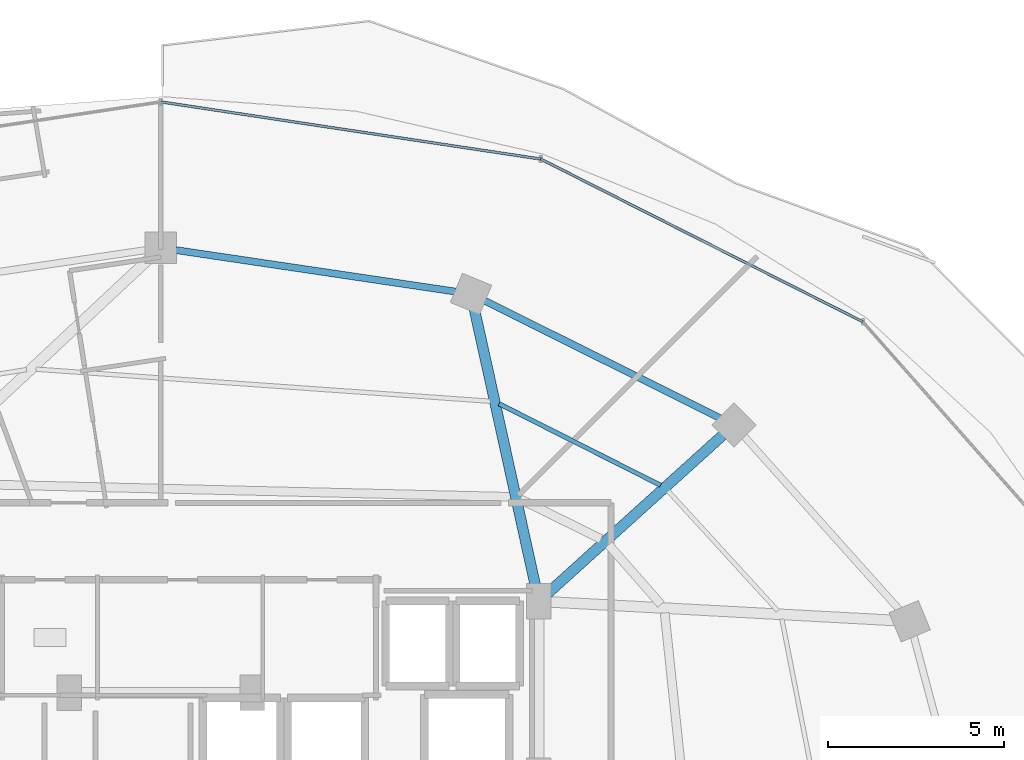
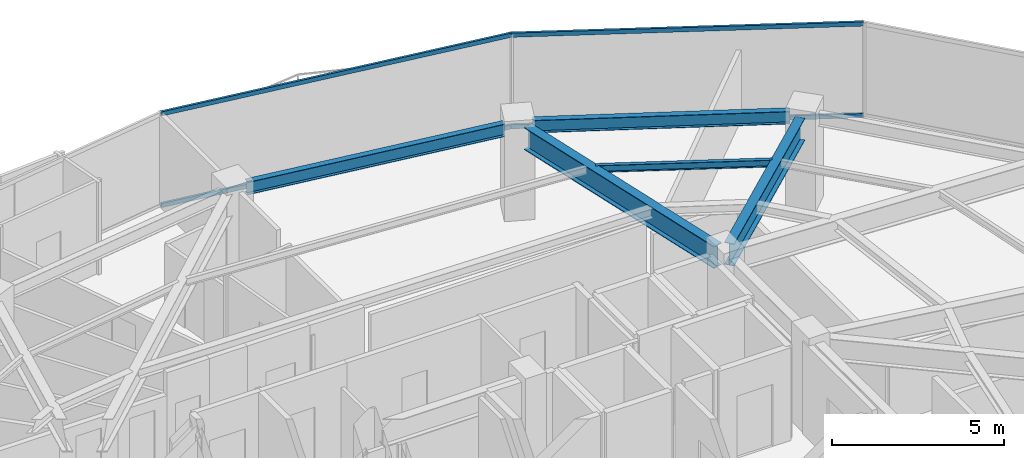
# One storey, part 20 of 33: 5 beams, 4 members, 1 element without a shape of its own.
"""IFC4 building model written with IfcOpenShell, lengths in metres."""

from ifc_helpers import new_model, si_unit, direction, frame, origin, origin_2d, place, context, subcontext, project, spatial, hollow_rectangle, i_section, extrude, material, material_profile, profile_set, type_object, element, aggregate, save


model = new_model("IFC4")

# Units and contexts
model_context = context("Model", 3, precision=1e-05, world=origin(), true_north=direction((0.0, 1.0)))
body_context = subcontext(model_context, "Body", "Model", "MODEL_VIEW")
ifc_project = project(units=[si_unit("LENGTHUNIT", "METRE"), si_unit("AREAUNIT", "SQUARE_METRE"), si_unit("VOLUMEUNIT", "CUBIC_METRE"), si_unit("PLANEANGLEUNIT", "RADIAN"), si_unit("MASSUNIT", "GRAM", prefix="KILO")], contexts=[model_context])

# Site, building, storey
site_placement = place(None, origin())
site = spatial("IfcSite", under=ifc_project, at=site_placement, CompositionType="ELEMENT")
building_placement = place(site_placement, origin())
building = spatial("IfcBuilding", under=site, at=building_placement, Name="Vorneva Point Tower", CompositionType="ELEMENT")
storey_placement = place(building_placement, frame((0.0, 0.0, 203.64990234375)))
storey = spatial("IfcBuildingStorey", under=building, at=storey_placement, Name="L55", CompositionType="ELEMENT", Elevation=203.64990234375)

# Beams
ifc_material_1 = material(Name="Steel S355", Category="steel")
ifc_material_profile_1 = material_profile(ifc_material_1, i_section(OverallWidth=0.300048828125, OverallDepth=0.7880859375, WebThickness=0.014404296875, FlangeThickness=0.02197265625, at=origin_2d()), Name="80Sh1")
ifc_profile_set_1 = profile_set([ifc_material_profile_1], Name="Steel S355")
beam_type_1 = type_object("IfcBeamType", Name="BM-GRD-80Sh1", PredefinedType="USERDEFINED", material=ifc_profile_set_1)
beam_1_placement = place(storey_placement, frame((53.973876953125, 37.86865234375, 2.89599609375), z_axis=(-0.742089778537, -0.670300500217, 0.0), x_axis=(0.670300500217, -0.742089778537, 0.0)))
element("IfcBeam", 1, at=beam_1_placement, inside=storey, type_object=beam_type_1, Name="L55 Radial Primary Girder 03", ObjectType="GIRDER", PredefinedType="USERDEFINED", context=body_context, shape_type="SweptSolid", body=[
    extrude(i_section(OverallWidth=0.300048828125, OverallDepth=0.7880859375, WebThickness=0.014404296875, FlangeThickness=0.02197265625, at=origin_2d()), origin(), (0.0, 0.0, 1.0), 6.699462890625),
])
beam_2_placement = place(storey_placement, frame((46.915283203125, 41.462890625, 2.89599609375), z_axis=(0.215522758292, -0.976498817541, 0.0), x_axis=(0.976498817541, 0.215522758292, 0.0)))
element("IfcBeam", 2, at=beam_2_placement, inside=storey, type_object=beam_type_1, Name="L55 Radial Primary Girder 04", ObjectType="GIRDER", PredefinedType="USERDEFINED", context=body_context, shape_type="SweptSolid", body=[
    extrude(i_section(OverallWidth=0.300048828125, OverallDepth=0.7880859375, WebThickness=0.014404296875, FlangeThickness=0.02197265625, at=origin_2d()), origin(), (0.0, 0.0, 1.0), 8.173095703125),
])
ifc_material_profile_2 = material_profile(ifc_material_1, i_section(OverallWidth=0.1240234375, OverallDepth=0.248046875, WebThickness=0.0048828125, FlangeThickness=0.008056640625, at=origin_2d()), Name="25B1")
ifc_profile_set_2 = profile_set([ifc_material_profile_2], Name="Steel S355")
beam_type_2 = type_object("IfcBeamType", Name="BM-JST-25B1", PredefinedType="JOIST", material=ifc_profile_set_2)
beam_3_placement = place(storey_placement, frame((52.2099609375, 36.448974609375, 3.166015625), z_axis=(-0.892634985647, 0.450780192997, 0.0), x_axis=(-0.450780192997, -0.892634985647, 0.0)))
element("IfcBeam", 3, at=beam_3_placement, inside=storey, type_object=beam_type_2, Name="L55 Secondary Floor Beam 1.03", PredefinedType="JOIST", context=body_context, shape_type="SweptSolid", body=[
    extrude(i_section(OverallWidth=0.1240234375, OverallDepth=0.248046875, WebThickness=0.0048828125, FlangeThickness=0.008056640625, at=origin_2d()), origin(), (0.0, 0.0, 1.0), 5.142333984375),
])
ifc_material_profile_3 = material_profile(ifc_material_1, i_section(OverallWidth=0.198974609375, OverallDepth=0.446044921875, WebThickness=0.008056640625, FlangeThickness=0.011962890625, at=origin_2d()), Name="45B1")
ifc_profile_set_3 = profile_set([ifc_material_profile_3], Name="Steel S355")
beam_type_3 = type_object("IfcBeamType", Name="BM-SPN-45B1", PredefinedType="SPANDREL", material=ifc_profile_set_3)
beam_4_placement = place(storey_placement, frame((53.909423828125, 38.356201171875, 3.067138671875), z_axis=(-0.894922371084, 0.446221861559, 0.0), x_axis=(-0.446221861559, -0.894922371084, 0.0)))
element("IfcBeam", 4, at=beam_4_placement, inside=storey, type_object=beam_type_3, Name="L55 Perimeter Spandrel Ring Beam 03", PredefinedType="SPANDREL", context=body_context, shape_type="SweptSolid", body=[
    extrude(i_section(OverallWidth=0.198974609375, OverallDepth=0.446044921875, WebThickness=0.008056640625, FlangeThickness=0.011962890625, at=origin_2d()), origin(), (0.0, 0.0, 1.0), 7.48583984375),
])
beam_5_placement = place(storey_placement, frame((46.390625, 41.95458984375, 3.067138671875), z_axis=(-0.989165476332, 0.146804837907, 0.0), x_axis=(-0.146804837907, -0.989165476332, 0.0)))
element("IfcBeam", 5, at=beam_5_placement, inside=storey, type_object=beam_type_3, Name="L55 Perimeter Spandrel Ring Beam 04", PredefinedType="SPANDREL", context=body_context, shape_type="SweptSolid", body=[
    extrude(i_section(OverallWidth=0.198974609375, OverallDepth=0.446044921875, WebThickness=0.008056640625, FlangeThickness=0.011962890625, at=origin_2d()), origin(), (0.0, 0.0, 1.0), 8.04736328125),
])

# Curtain wall, members
ifc_material_2 = material(Name="Pale anodised aluminium", Category="aluminium")
curtain_wall_type = type_object("IfcCurtainWallType", Name="CW-RES-SYS", PredefinedType="NOTDEFINED", material=ifc_material_2)
curtain_wall_placement = place(storey_placement, origin())
curtain_wall = element("IfcCurtainWall", 6, at=curtain_wall_placement, inside=storey, type_object=curtain_wall_type, Name="L55 Unitised Curtain Wall CW-L55-R01", PredefinedType="NOTDEFINED")
ifc_material_profile_4 = material_profile(ifc_material_2, hollow_rectangle(XDim=0.074951171875, YDim=0.14990234375, WallThickness=0.00390625, at=origin_2d()), Name="AL-TRN 150x75x4")
ifc_profile_set_4 = profile_set([ifc_material_profile_4], Name="Pale anodised aluminium")
member_type = type_object("IfcMemberType", Name="CW-TRN-150", PredefinedType="USERDEFINED", material=ifc_profile_set_4)
member_1_placement = place(storey_placement, frame((57.961669921875, 41.0966796875, 0.02001953125), z_axis=(-0.892510927709, 0.451025768576, 0.0), x_axis=(-0.451025768576, -0.892510927709, 0.0)))
member_1 = element("IfcMember", 7, at=member_1_placement, type_object=member_type, Name="CW-L55-R01 Transom 02.1", ObjectType="TRANSOM", PredefinedType="USERDEFINED", context=body_context, shape_type="SweptSolid", body=[
    extrude(hollow_rectangle(XDim=0.074951171875, YDim=0.14990234375, WallThickness=0.00390625, at=origin_2d()), origin(), (0.0, 0.0, 1.0), 10.261474609375),
])
member_2_placement = place(storey_placement, frame((57.961669921875, 41.0966796875, 3.27001953125), z_axis=(-0.892510927709, 0.451025768576, 0.0), x_axis=(-0.451025768576, -0.892510927709, 0.0)))
member_2 = element("IfcMember", 8, at=member_2_placement, type_object=member_type, Name="CW-L55-R01 Transom 02.2", ObjectType="TRANSOM", PredefinedType="USERDEFINED", context=body_context, shape_type="SweptSolid", body=[
    extrude(hollow_rectangle(XDim=0.074951171875, YDim=0.14990234375, WallThickness=0.00390625, at=origin_2d()), origin(), (0.0, 0.0, 1.0), 10.261474609375),
])
member_3_placement = place(storey_placement, frame((48.80322265625, 45.724853515625, 0.02001953125), z_axis=(-0.988872333273, 0.148766624239, 0.0), x_axis=(-0.148766624239, -0.988872333273, 0.0)))
member_3 = element("IfcMember", 9, at=member_3_placement, type_object=member_type, Name="CW-L55-R01 Transom 03.1", ObjectType="TRANSOM", PredefinedType="USERDEFINED", context=body_context, shape_type="SweptSolid", body=[
    extrude(hollow_rectangle(XDim=0.074951171875, YDim=0.14990234375, WallThickness=0.00390625, at=origin_2d()), origin(), (0.0, 0.0, 1.0), 10.9248046875),
])
member_4_placement = place(storey_placement, frame((48.80322265625, 45.724853515625, 3.27001953125), z_axis=(-0.988872333273, 0.148766624239, 0.0), x_axis=(-0.148766624239, -0.988872333273, 0.0)))
member_4 = element("IfcMember", 10, at=member_4_placement, type_object=member_type, Name="CW-L55-R01 Transom 03.2", ObjectType="TRANSOM", PredefinedType="USERDEFINED", context=body_context, shape_type="SweptSolid", body=[
    extrude(hollow_rectangle(XDim=0.074951171875, YDim=0.14990234375, WallThickness=0.00390625, at=origin_2d()), origin(), (0.0, 0.0, 1.0), 10.9248046875),
])
aggregate(curtain_wall, [member_1, member_2, member_3, member_4])

save(model, "model.ifc")
